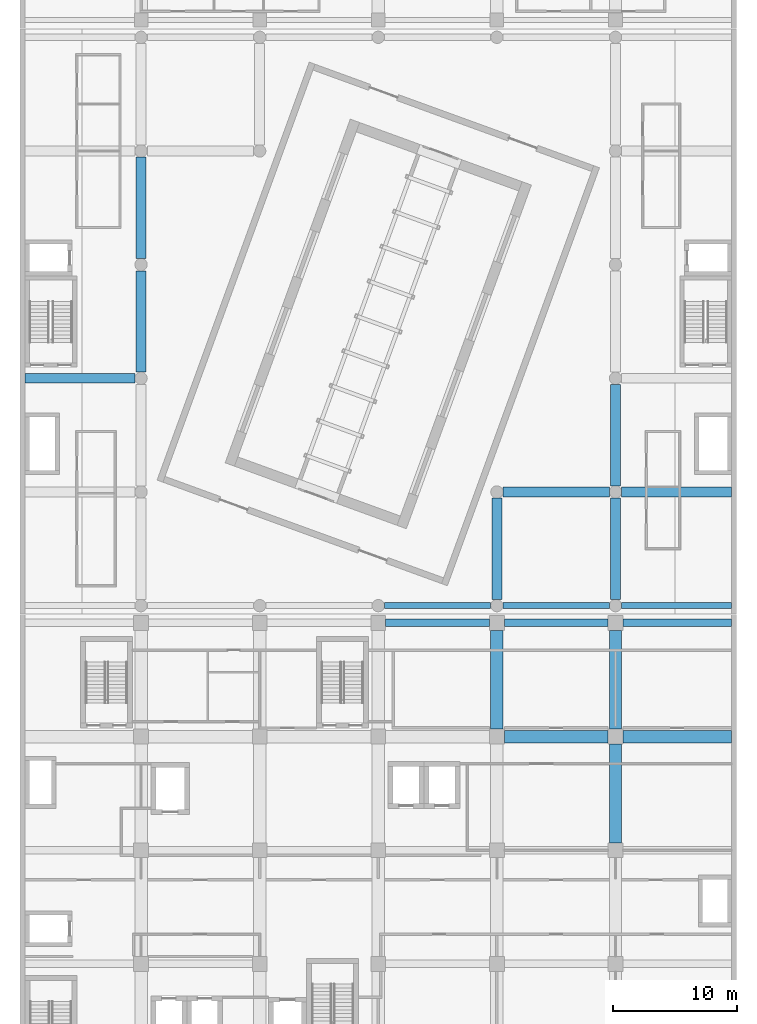
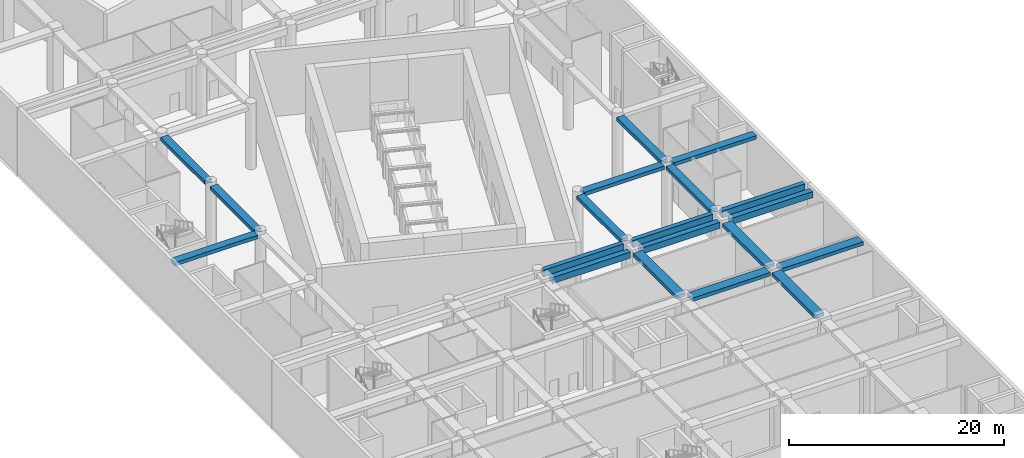
# One storey, part 3 of 36: 19 beams.
"""IFC4 building model written with IfcOpenShell, lengths in metres."""

from ifc_helpers import new_model, si_unit, direction, frame, origin, origin_2d, place, context, subcontext, project, spatial, rectangle, extrude, material, material_profile, profile_set, type_object, element, save


model = new_model("IFC4")

# Units and contexts
model_context = context("Model", 3, precision=1e-05, world=origin(), true_north=direction((0.0, 1.0)))
body_context = subcontext(model_context, "Body", "Model", "MODEL_VIEW")
ifc_project = project(units=[si_unit("LENGTHUNIT", "METRE"), si_unit("AREAUNIT", "SQUARE_METRE"), si_unit("VOLUMEUNIT", "CUBIC_METRE"), si_unit("PLANEANGLEUNIT", "RADIAN"), si_unit("MASSUNIT", "GRAM", prefix="KILO")], contexts=[model_context])

# Site, building, storey
site_placement = place(None, origin())
site = spatial("IfcSite", under=ifc_project, at=site_placement, CompositionType="ELEMENT")
building_placement = place(site_placement, origin())
building = spatial("IfcBuilding", under=site, at=building_placement, Name="Nzadi Deep Aquarium and Research Tower", CompositionType="ELEMENT")
storey_placement = place(building_placement, frame((0.0, 0.0, 14.199951171875)))
storey = spatial("IfcBuildingStorey", under=building, at=storey_placement, Name="L02", CompositionType="ELEMENT", Elevation=14.199951171875)

# Beams
ifc_material_1 = material(Name="Concrete C35/45", Category="concrete")
ifc_material_profile_1 = material_profile(ifc_material_1, rectangle(XDim=1.0, YDim=0.39990234375, at=origin_2d()))
ifc_profile_set_1 = profile_set([ifc_material_profile_1], Name="Concrete C35/45")
beam_type_1 = type_object("IfcBeamType", Name="RC 1000x400", PredefinedType="BEAM", material=ifc_profile_set_1)
beam_1_placement = place(storey_placement, frame((39.0, 36.800048828125, 6.949951171875), z_axis=(1.0, 0.0, 0.0), x_axis=(0.0, 1.0, 0.0)))
element("IfcBeam", 1, at=beam_1_placement, inside=storey, type_object=beam_type_1, Name="B-Z1-L02-L5-5", PredefinedType="BEAM", context=body_context, shape_type="SweptSolid", body=[
    extrude(rectangle(XDim=1.0, YDim=0.39990234375, at=origin_2d()), origin(), (0.0, 0.0, 1.0), 8.39990234375),
])
beam_2_placement = place(storey_placement, frame((48.60009765625, 36.800048828125, 6.949951171875), z_axis=(1.0, 0.0, 0.0), x_axis=(0.0, 1.0, 0.0)))
element("IfcBeam", 2, at=beam_2_placement, inside=storey, type_object=beam_type_1, Name="B-Z1-L02-L5-6", PredefinedType="BEAM", context=body_context, shape_type="SweptSolid", body=[
    extrude(rectangle(XDim=1.0, YDim=0.39990234375, at=origin_2d()), origin(), (0.0, 0.0, 1.0), 8.7998046875),
])
for number, where, z_axis, x_axis, name in (
    (3, (38.39990234375, 37.39990234375, 6.949951171875), (0.0, 1.0, 0.0), (-1.0, 0.0, 0.0), "B-Z1-L02-CE-5-1"),
    (4, (48.0, 28.199951171875, 6.949951171875), (0.0, 1.0, 0.0), (-1.0, 0.0, 0.0), "B-Z1-L02-CF-4-1"),
    (5, (48.0, 37.39990234375, 6.949951171875), (0.0, 1.0, 0.0), (-1.0, 0.0, 0.0), "B-Z1-L02-CF-5-1"),
):
    element("IfcBeam", number, at=place(storey_placement, frame(where, z_axis=z_axis, x_axis=x_axis)), inside=storey, type_object=beam_type_1, Name=name, PredefinedType="BEAM", context=body_context, shape_type="SweptSolid", body=[
        extrude(rectangle(XDim=1.0, YDim=0.39990234375, at=origin_2d()), origin(), (0.0, 0.0, 1.0), 8.0),
    ])
ifc_material_2 = material(Name="Concrete C40/50", Category="concrete")
ifc_material_profile_2 = material_profile(ifc_material_2, rectangle(XDim=0.5, YDim=0.800048828125, at=origin_2d()))
ifc_profile_set_2 = profile_set([ifc_material_profile_2], Name="Concrete C40/50")
beam_type_2 = type_object("IfcBeamType", Name="RC 500x800", PredefinedType="BEAM", material=ifc_profile_set_2)
beam_3_placement = place(storey_placement, frame((29.300048828125, 47.39990234375, 6.75), z_axis=(1.0, 0.0, 0.0), x_axis=(0.0, 1.0, 0.0)))
element("IfcBeam", 6, at=beam_3_placement, inside=storey, type_object=beam_type_2, Name="B-Z2-L02-L7-4", PredefinedType="BEAM", context=body_context, shape_type="SweptSolid", body=[
    extrude(rectangle(XDim=0.5, YDim=0.800048828125, at=origin_2d()), origin(), (0.0, 0.0, 1.0), 8.599853515625),
])
beam_4_placement = place(storey_placement, frame((38.89990234375, 47.39990234375, 6.75), z_axis=(1.0, 0.0, 0.0), x_axis=(0.0, 1.0, 0.0)))
element("IfcBeam", 7, at=beam_4_placement, inside=storey, type_object=beam_type_2, Name="B-Z2-L02-L7-5", PredefinedType="BEAM", context=body_context, shape_type="SweptSolid", body=[
    extrude(rectangle(XDim=0.5, YDim=0.800048828125, at=origin_2d()), origin(), (0.0, 0.0, 1.0), 8.60009765625),
])
beam_5_placement = place(storey_placement, frame((48.5, 47.39990234375, 6.75), z_axis=(1.0, 0.0, 0.0), x_axis=(0.0, 1.0, 0.0)))
element("IfcBeam", 8, at=beam_5_placement, inside=storey, type_object=beam_type_2, Name="B-Z2-L02-L7-6", PredefinedType="BEAM", context=body_context, shape_type="SweptSolid", body=[
    extrude(rectangle(XDim=0.5, YDim=0.800048828125, at=origin_2d()), origin(), (0.0, 0.0, 1.0), 8.89990234375),
])
ifc_material_3 = material(Name="Concrete C35/45", Category="concrete")
ifc_material_profile_3 = material_profile(ifc_material_3, rectangle(XDim=0.60009765625, YDim=0.699951171875, at=origin_2d()))
ifc_profile_set_3 = profile_set([ifc_material_profile_3], Name="Concrete C35/45")
beam_type_3 = type_object("IfcBeamType", Name="RC 600x700", PredefinedType="BEAM", material=ifc_profile_set_3)
beam_6_placement = place(storey_placement, frame((29.39990234375, 46.0, 6.800048828125), z_axis=(1.0, 0.0, 0.0), x_axis=(0.0, 1.0, 0.0)))
element("IfcBeam", 9, at=beam_6_placement, inside=storey, type_object=beam_type_3, Name="B-Z1-L02-L6-4", PredefinedType="BEAM", context=body_context, shape_type="SweptSolid", body=[
    extrude(rectangle(XDim=0.60009765625, YDim=0.699951171875, at=origin_2d()), origin(), (0.0, 0.0, 1.0), 8.400146484375),
])
beam_7_placement = place(storey_placement, frame((39.0, 46.0, 6.800048828125), z_axis=(1.0, 0.0, 0.0), x_axis=(0.0, 1.0, 0.0)))
element("IfcBeam", 10, at=beam_7_placement, inside=storey, type_object=beam_type_3, Name="B-Z1-L02-L6-5", PredefinedType="BEAM", context=body_context, shape_type="SweptSolid", body=[
    extrude(rectangle(XDim=0.60009765625, YDim=0.699951171875, at=origin_2d()), origin(), (0.0, 0.0, 1.0), 8.39990234375),
])
beam_8_placement = place(storey_placement, frame((48.60009765625, 46.0, 6.800048828125), z_axis=(1.0, 0.0, 0.0), x_axis=(0.0, 1.0, 0.0)))
element("IfcBeam", 11, at=beam_8_placement, inside=storey, type_object=beam_type_3, Name="B-Z1-L02-L6-6", PredefinedType="BEAM", context=body_context, shape_type="SweptSolid", body=[
    extrude(rectangle(XDim=0.60009765625, YDim=0.699951171875, at=origin_2d()), origin(), (0.0, 0.0, 1.0), 8.7998046875),
])
ifc_material_4 = material(Name="Concrete C35/45", Category="concrete")
ifc_material_profile_4 = material_profile(ifc_material_4, rectangle(XDim=0.800048828125, YDim=0.39990234375, at=origin_2d()))
ifc_profile_set_4 = profile_set([ifc_material_profile_4], Name="Concrete C35/45")
beam_type_4 = type_object("IfcBeamType", Name="RC 800x400", PredefinedType="BEAM", material=ifc_profile_set_4)
beam_9_placement = place(storey_placement, frame((38.89990234375, 56.60009765625, 6.949951171875), z_axis=(1.0, 0.0, 0.0), x_axis=(0.0, 1.0, 0.0)))
element("IfcBeam", 12, at=beam_9_placement, inside=storey, type_object=beam_type_4, Name="B-Z2-L02-L8-5", PredefinedType="BEAM", context=body_context, shape_type="SweptSolid", body=[
    extrude(rectangle(XDim=0.800048828125, YDim=0.39990234375, at=origin_2d()), origin(), (0.0, 0.0, 1.0), 8.60009765625),
])
beam_10_placement = place(storey_placement, frame((48.5, 56.60009765625, 6.949951171875), z_axis=(1.0, 0.0, 0.0), x_axis=(0.0, 1.0, 0.0)))
element("IfcBeam", 13, at=beam_10_placement, inside=storey, type_object=beam_type_4, Name="B-Z2-L02-L8-6", PredefinedType="BEAM", context=body_context, shape_type="SweptSolid", body=[
    extrude(rectangle(XDim=0.800048828125, YDim=0.39990234375, at=origin_2d()), origin(), (0.0, 0.0, 1.0), 8.89990234375),
])
beam_11_placement = place(storey_placement, frame((0.199951171875, 65.800048828125, 6.949951171875), z_axis=(1.0, 0.0, 0.0), x_axis=(0.0, 1.0, 0.0)))
element("IfcBeam", 14, at=beam_11_placement, inside=storey, type_object=beam_type_4, Name="B-Z2-L02-L9-1", PredefinedType="BEAM", context=body_context, shape_type="SweptSolid", body=[
    extrude(rectangle(XDim=0.800048828125, YDim=0.39990234375, at=origin_2d()), origin(), (0.0, 0.0, 1.0), 8.900146484375),
])
for number, where, z_axis, x_axis, name in (
    (15, (9.60009765625, 66.300048828125, 6.949951171875), (0.0, 1.0, 0.0), (-1.0, 0.0, 0.0), "B-Z2-L02-CB-3-7"),
    (16, (9.60009765625, 75.5, 6.949951171875), (0.0, 1.0, 0.0), (-1.0, 0.0, 0.0), "B-Z2-L02-CB-4-7"),
):
    element("IfcBeam", number, at=place(storey_placement, frame(where, z_axis=z_axis, x_axis=x_axis)), inside=storey, type_object=beam_type_4, Name=name, PredefinedType="BEAM", context=body_context, shape_type="SweptSolid", body=[
        extrude(rectangle(XDim=0.800048828125, YDim=0.39990234375, at=origin_2d()), origin(), (0.0, 0.0, 1.0), 8.199951171875),
    ])
for number, where, z_axis, x_axis, name in (
    (17, (38.39990234375, 47.89990234375, 6.949951171875), (0.0, 1.0, 0.0), (-1.0, 0.0, 0.0), "B-Z2-L02-CE-1-7"),
    (18, (48.0, 47.89990234375, 6.949951171875), (0.0, 1.0, 0.0), (-1.0, 0.0, 0.0), "B-Z2-L02-CF-1-7"),
):
    element("IfcBeam", number, at=place(storey_placement, frame(where, z_axis=z_axis, x_axis=x_axis)), inside=storey, type_object=beam_type_4, Name=name, PredefinedType="BEAM", context=body_context, shape_type="SweptSolid", body=[
        extrude(rectangle(XDim=0.800048828125, YDim=0.39990234375, at=origin_2d()), origin(), (0.0, 0.0, 1.0), 8.2001953125),
    ])
beam_12_placement = place(storey_placement, frame((48.0, 57.10009765625, 6.949951171875), z_axis=(0.0, 1.0, 0.0), x_axis=(-1.0, 0.0, 0.0)))
element("IfcBeam", 19, at=beam_12_placement, inside=storey, type_object=beam_type_4, Name="B-Z2-L02-CF-2-7", PredefinedType="BEAM", context=body_context, shape_type="SweptSolid", body=[
    extrude(rectangle(XDim=0.800048828125, YDim=0.39990234375, at=origin_2d()), origin(), (0.0, 0.0, 1.0), 8.199951171875),
])

save(model, "model.ifc")
